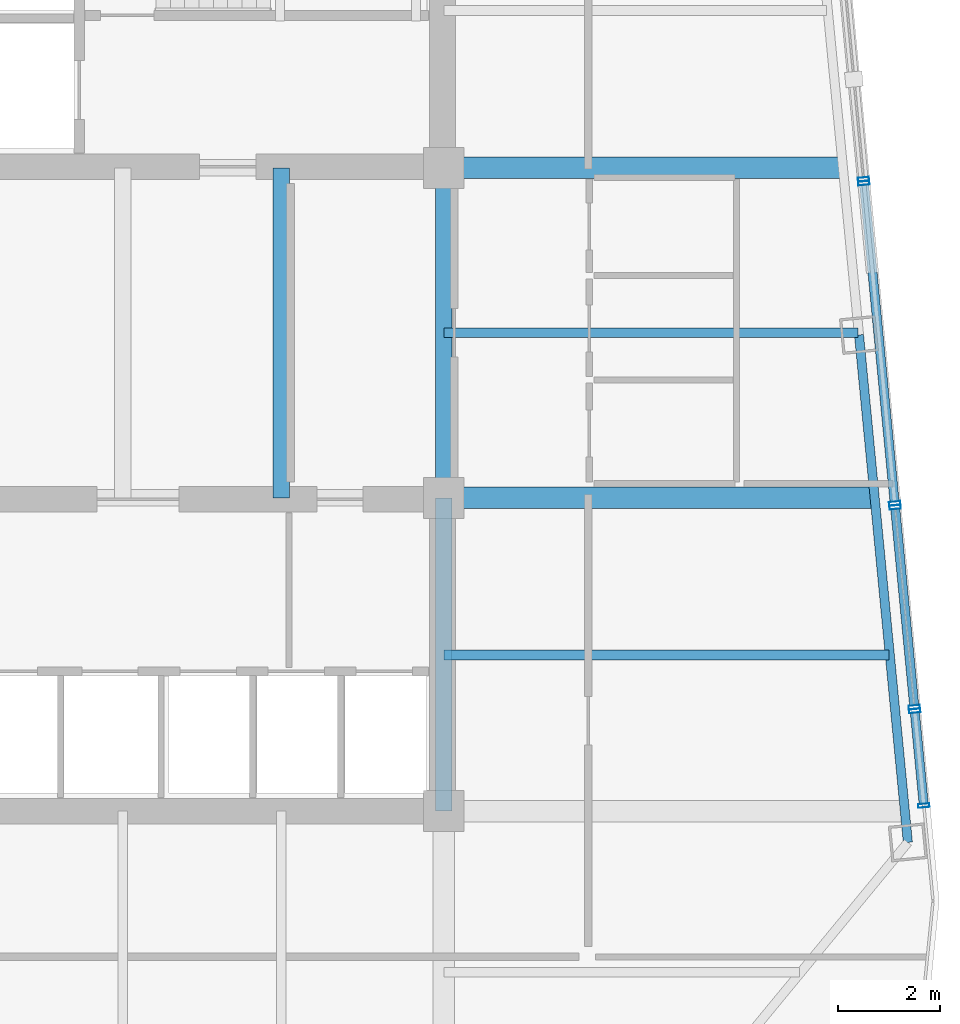
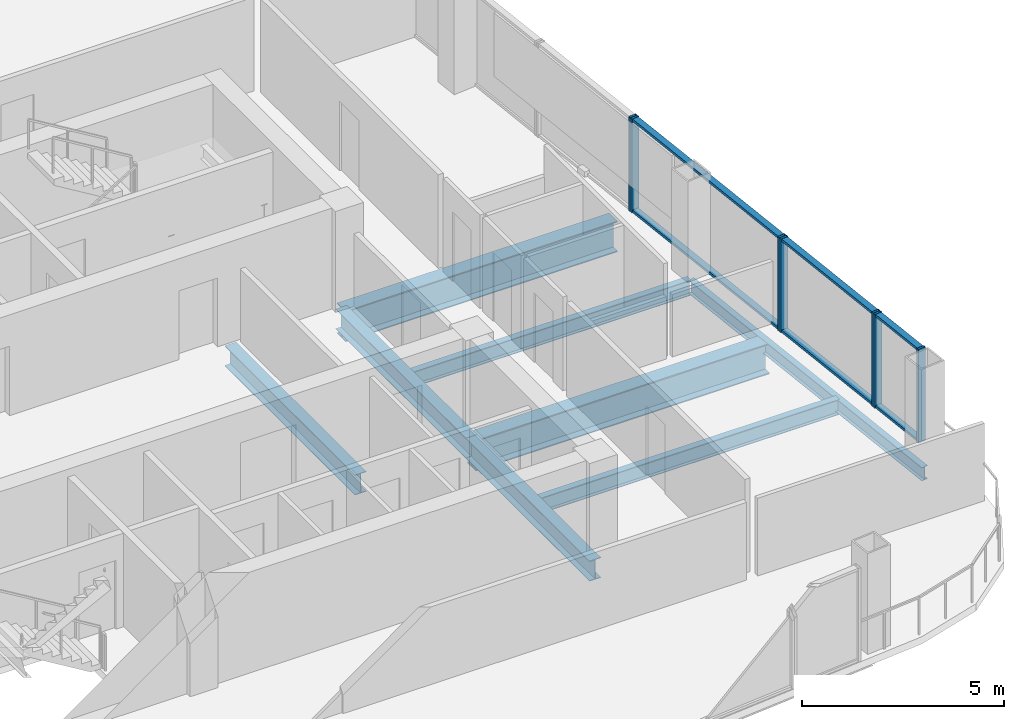
# One storey, part 10 of 21: 13 members, 8 beams, 4 elements without a shape of their own.
"""IFC4 building model written with IfcOpenShell, lengths in metres."""

import ifcopenshell
import ifcopenshell.guid

model = None  # the IFC model being written
_history = None  # IfcOwnerHistory: only IFC2X3 demands one
_inside = {}  # id of a spatial element -> (the spatial element, [elements in it])
_under = {}  # id of a project, library or spatial element -> (it, [spatial elements below it])
_declared = {}  # id of a project -> (the project, [libraries it declares])
_typed = {}  # id of a type object -> (the type object, [elements of that type])
_made_of = {}  # id of a material, layer set ... -> (it, [elements and type objects made of it])


def new_model(schema):
    """Start an empty IFC model of exactly this schema.

    Asked for "IFC4X3", IfcOpenShell would pick the latest addendum, in which some entities
    have other attributes; the version numbers below select the first issue.
    IFC2X3 requires an IfcOwnerHistory on every rooted entity: one is made here for all.
    """
    global model, _history
    if schema == "IFC4X3":
        model = ifcopenshell.file(schema_version=(4, 3, 0, 0))
    else:
        model = ifcopenshell.file(schema=schema)
    _inside.clear()
    _under.clear()
    _declared.clear()
    _typed.clear()
    _made_of.clear()
    _history = None
    if model.schema == "IFC2X3":
        org = make("IfcOrganization", Name="unknown")
        user = make(
            "IfcPersonAndOrganization",
            ThePerson=make("IfcPerson", FamilyName="unknown"),
            TheOrganization=org,
        )
        app = make(
            "IfcApplication",
            ApplicationDeveloper=org,
            Version="unknown",
            ApplicationFullName="unknown",
            ApplicationIdentifier="unknown",
        )
        _history = make(
            "IfcOwnerHistory",
            OwningUser=user,
            OwningApplication=app,
            ChangeAction="ADDED",
            CreationDate=0,
        )
    return model


def make(cls, **values):
    """One entity of the class cls with the attributes given. An attribute that is None is left unset."""
    return model.create_entity(
        cls, **{name: value for name, value in values.items() if value is not None}
    )


def rooted(cls, **values):
    """An entity with a GlobalId (a new one), such as an element, a storey or a relation."""
    return make(cls, GlobalId=ifcopenshell.guid.new(), OwnerHistory=_history, **values)


def si_unit(unit_type, name, prefix=None):
    """IfcSIUnit, for example si_unit("LENGTHUNIT", "METRE", prefix="MILLI")."""
    return make("IfcSIUnit", UnitType=unit_type, Prefix=prefix, Name=name)


def assignment(units):
    """IfcUnitAssignment: the units of a project."""
    return None if units is None else make("IfcUnitAssignment", Units=units)


def point(xyz):
    """IfcCartesianPoint."""
    return None if xyz is None else make("IfcCartesianPoint", Coordinates=xyz)


def direction(xyz):
    """IfcDirection."""
    return None if xyz is None else make("IfcDirection", DirectionRatios=xyz)


def frame(location, z_axis=None, x_axis=None):
    """IfcAxis2Placement3D, a coordinate frame: its origin and axes. An axis left out is left unset."""
    return make(
        "IfcAxis2Placement3D",
        Location=point(location),
        Axis=direction(z_axis),
        RefDirection=direction(x_axis),
    )


def frame_2d(location, x_axis=None):
    """IfcAxis2Placement2D, a coordinate frame in the plane: its origin and x axis."""
    return make(
        "IfcAxis2Placement2D", Location=point(location), RefDirection=direction(x_axis)
    )


def origin():
    """The frame at (0, 0, 0) with its axes left unset."""
    return frame((0.0, 0.0, 0.0))


def origin_2d():
    """The frame at (0, 0) in the plane with its x axis left unset."""
    return frame_2d((0.0, 0.0))


def place(relative_to, where):
    """IfcLocalPlacement: puts the frame where relative to a parent placement (None: the world)."""
    return make(
        "IfcLocalPlacement", PlacementRelTo=relative_to, RelativePlacement=where
    )


def context(
    kind, dimensions, precision=None, world=None, true_north=None, identifier=None
):
    """IfcGeometricRepresentationContext, for example the 3D "Model" context."""
    return make(
        "IfcGeometricRepresentationContext",
        ContextIdentifier=identifier,
        ContextType=kind,
        CoordinateSpaceDimension=dimensions,
        Precision=precision,
        WorldCoordinateSystem=world,
        TrueNorth=true_north,
    )


def subcontext(parent, identifier, kind, view, scale=None):
    """IfcGeometricRepresentationSubContext, for example "Body" below "Model"."""
    return make(
        "IfcGeometricRepresentationSubContext",
        ContextIdentifier=identifier,
        ContextType=kind,
        ParentContext=parent,
        TargetScale=scale,
        TargetView=view,
    )


def project(units=None, contexts=None):
    """IfcProject with its units and contexts."""
    return rooted(
        "IfcProject",
        Name="project",
        RepresentationContexts=contexts,
        UnitsInContext=assignment(units),
    )


def spatial(cls, under=None, at=None, **own):
    """A site, building, storey or space (cls), placed at a placement, below another one or the project."""
    s = rooted(cls, ObjectPlacement=at, **own)
    if under is not None:
        _under.setdefault(under.id(), (under, []))[1].append(s)
    return s


def profile(cls, at=None, kind="AREA", **sizes):
    """A parametric profile (cls). Its sizes go by their IFC names, for example OverallWidth=200.0."""
    return make(cls, ProfileType=kind, Position=at, **sizes)


def hollow_rectangle(**sizes):
    """IfcRectangleHollowProfileDef."""
    return profile("IfcRectangleHollowProfileDef", **sizes)


def i_section(**sizes):
    """IfcIShapeProfileDef."""
    return profile("IfcIShapeProfileDef", **sizes)


def extrude(swept, where, along, depth):
    """IfcExtrudedAreaSolid: the profile swept, set in the frame where, extruded along a direction by depth."""
    return make(
        "IfcExtrudedAreaSolid",
        SweptArea=swept,
        Position=where,
        ExtrudedDirection=direction(along),
        Depth=depth,
    )


def shape(context_of_items, identifier, shape_type, items):
    """IfcShapeRepresentation: the items that make up one representation, for example the "Body"."""
    return make(
        "IfcShapeRepresentation",
        ContextOfItems=context_of_items,
        RepresentationIdentifier=identifier,
        RepresentationType=shape_type,
        Items=items,
    )


def material(Name=None, Category=None):
    """IfcMaterial."""
    return make("IfcMaterial", Name=Name, Category=Category)


def layer(
    of_material, thickness, ventilated=None, Name=None, Category=None, Priority=None
):
    """IfcMaterialLayer: one layer of a wall or slab, of a material (None: an air gap)."""
    return make(
        "IfcMaterialLayer",
        Material=of_material,
        LayerThickness=thickness,
        IsVentilated=ventilated,
        Name=Name,
        Category=Category,
        Priority=Priority,
    )


def layer_set(layers, Name=None):
    """IfcMaterialLayerSet."""
    return make("IfcMaterialLayerSet", MaterialLayers=layers, LayerSetName=Name)


def material_profile(
    of_material, cross_section, Name=None, Category=None, Priority=None
):
    """IfcMaterialProfile: a cross section and its material."""
    return make(
        "IfcMaterialProfile",
        Name=Name,
        Material=of_material,
        Profile=cross_section,
        Priority=Priority,
        Category=Category,
    )


def profile_set(profiles, Name=None, composite=None):
    """IfcMaterialProfileSet."""
    return make(
        "IfcMaterialProfileSet",
        Name=Name,
        MaterialProfiles=profiles,
        CompositeProfile=composite,
    )


def made_of(thing, what):
    """Note that an element or type object is made of a material, layer set ...; save() writes the relation."""
    if what is not None:
        _made_of.setdefault(what.id(), (what, []))[1].append(thing)
    return thing


def type_object(cls, material=None, **own):
    """A type object (cls), such as IfcWallType, which elements share."""
    return made_of(rooted(cls, **own), material)


def element(
    cls,
    number,
    at=None,
    inside=None,
    cuts=None,
    type_object=None,
    material=None,
    context=None,
    identifier="Body",
    shape_type=None,
    held_by="IfcProductDefinitionShape",
    body=None,
    shapes=None,
    **own,
):
    """One element of the class cls, such as IfcWall. Its Tag is "e" and its number.

    at: its placement. inside: the storey or other place that contains it. cuts: it is an
    opening in that element (IfcRelVoidsElement). A single representation is given by context,
    identifier, shape_type and body (its items); several are given by shapes. held_by: the class
    of the entity that holds the representations. save() writes the other relations.
    """
    e = rooted(cls, Tag="e%d" % number, ObjectPlacement=at, **own)
    if body is not None:
        shapes = [shape(context, identifier, shape_type, body)]
    if shapes is not None:
        e.Representation = make(held_by, Representations=shapes)
    if inside is not None:
        _inside.setdefault(inside.id(), (inside, []))[1].append(e)
    if cuts is not None:
        rooted(
            "IfcRelVoidsElement", RelatingBuildingElement=cuts, RelatedOpeningElement=e
        )
    if type_object is not None:
        _typed.setdefault(type_object.id(), (type_object, []))[1].append(e)
    return made_of(e, material)


def aggregate(whole, parts):
    """IfcRelAggregates: a whole, such as a stair, and the parts it consists of."""
    return rooted("IfcRelAggregates", RelatingObject=whole, RelatedObjects=parts)


def save(model, path):
    """Write the relations noted so far, then the file.

    IfcRelAggregates (storeys below a building ...), IfcRelContainedInSpatialStructure (elements
    in a storey), IfcRelDefinesByType, IfcRelAssociatesMaterial and IfcRelDeclares: one each for
    every whole, place, type object, material and project.
    """
    for whole, parts in _under.values():
        aggregate(whole, parts)
    for where, things in _inside.values():
        rooted(
            "IfcRelContainedInSpatialStructure",
            RelatedElements=things,
            RelatingStructure=where,
        )
    for kind, things in _typed.values():
        rooted("IfcRelDefinesByType", RelatedObjects=things, RelatingType=kind)
    for what, things in _made_of.values():
        rooted("IfcRelAssociatesMaterial", RelatedObjects=things, RelatingMaterial=what)
    for by, libraries in _declared.values():
        rooted("IfcRelDeclares", RelatingContext=by, RelatedDefinitions=libraries)
    model.write(path)


model = new_model("IFC4")

# Units and contexts
model_context = context("Model", 3, precision=1e-05, world=origin(), true_north=direction((0.0, 1.0)))
body_context = subcontext(model_context, "Body", "Model", "MODEL_VIEW")
ifc_project = project(units=[si_unit("LENGTHUNIT", "METRE"), si_unit("AREAUNIT", "SQUARE_METRE"), si_unit("VOLUMEUNIT", "CUBIC_METRE"), si_unit("PLANEANGLEUNIT", "RADIAN"), si_unit("MASSUNIT", "GRAM", prefix="KILO")], contexts=[model_context])

# Site, building, storey
site_placement = place(None, origin())
site = spatial("IfcSite", under=ifc_project, at=site_placement, CompositionType="ELEMENT")
building_placement = place(site_placement, origin())
building = spatial("IfcBuilding", under=site, at=building_placement, Name="Qhalaya Broadcast Tower", CompositionType="ELEMENT")
storey_placement = place(building_placement, frame((0.0, 0.0, 162.25)))
storey = spatial("IfcBuildingStorey", under=building, at=storey_placement, Name="L47", CompositionType="ELEMENT", Elevation=162.25)

# Beams
ifc_material_1 = material(Name="Structural Steel ASTM A992 Grade 50", Category="steel")
ifc_material_profile_1 = material_profile(ifc_material_1, i_section(OverallWidth=0.19189453125, OverallDepth=0.462890625, WebThickness=0.010498046875, FlangeThickness=0.017578125, at=origin_2d()), Name="W18X60")
ifc_profile_set_1 = profile_set([ifc_material_profile_1], Name="Structural Steel ASTM A992 Grade 50")
beam_type_1 = type_object("IfcBeamType", Name="Composite Floor Joist J03", PredefinedType="JOIST", material=ifc_profile_set_1)
beam_1_placement = place(storey_placement, frame((9.375, -5.699951171875, -0.451416015625), z_axis=(1.0, 0.0, 0.0), x_axis=(0.0, 1.0, 0.0)))
element("IfcBeam", 1, at=beam_1_placement, inside=storey, type_object=beam_type_1, Name="L47 J03 L47-JWE3E-1", PredefinedType="JOIST", context=body_context, shape_type="SweptSolid", body=[
    extrude(i_section(OverallWidth=0.19189453125, OverallDepth=0.462890625, WebThickness=0.010498046875, FlangeThickness=0.017578125, at=origin_2d()), origin(), (0.0, 0.0, 1.0), 8.7001953125),
])
beam_2_placement = place(storey_placement, frame((9.375, 0.60009765625, -0.451416015625), z_axis=(1.0, 0.0, 0.0), x_axis=(0.0, 1.0, 0.0)))
element("IfcBeam", 2, at=beam_2_placement, inside=storey, type_object=beam_type_1, Name="L47 J03 L47-JWE4E-1", PredefinedType="JOIST", context=body_context, shape_type="SweptSolid", body=[
    extrude(i_section(OverallWidth=0.19189453125, OverallDepth=0.462890625, WebThickness=0.010498046875, FlangeThickness=0.017578125, at=origin_2d()), origin(), (0.0, 0.0, 1.0), 8.093505859375),
])
ifc_material_profile_2 = material_profile(ifc_material_1, i_section(OverallWidth=0.323974609375, OverallDepth=0.612060546875, WebThickness=0.0126953125, FlangeThickness=0.01904296875, at=origin_2d()), Name="W24X104")
ifc_profile_set_2 = profile_set([ifc_material_profile_2], Name="Structural Steel ASTM A992 Grade 50")
beam_type_2 = type_object("IfcBeamType", Name="Core Frame Tie Beam B04", PredefinedType="BEAM", material=ifc_profile_set_2)
beam_3_placement = place(storey_placement, frame((9.375, -8.75, -0.52587890625), z_axis=(0.0, 1.0, 0.0), x_axis=(-1.0, 0.0, 0.0)))
element("IfcBeam", 3, at=beam_3_placement, inside=storey, type_object=beam_type_2, Name="L47 B04 L47-CCS2", PredefinedType="BEAM", context=body_context, shape_type="SweptSolid", body=[
    extrude(i_section(OverallWidth=0.323974609375, OverallDepth=0.612060546875, WebThickness=0.0126953125, FlangeThickness=0.01904296875, at=origin_2d()), origin(), (0.0, 0.0, 1.0), 6.125),
])
for number, where, z_axis, x_axis, name in (
    (4, (9.375, -2.625, -0.52587890625), (0.0, 1.0, 0.0), (-1.0, 0.0, 0.0), "L47 B04 L47-CCE"),
    (5, (6.199951171875, -2.625, -0.52587890625), (0.0, 1.0, 0.0), (-1.0, 0.0, 0.0), "L47 B04 L47-JC5-1"),
):
    element("IfcBeam", number, at=place(storey_placement, frame(where, z_axis=z_axis, x_axis=x_axis)), inside=storey, type_object=beam_type_2, Name=name, PredefinedType="BEAM", context=body_context, shape_type="SweptSolid", body=[
        extrude(i_section(OverallWidth=0.323974609375, OverallDepth=0.612060546875, WebThickness=0.0126953125, FlangeThickness=0.01904296875, at=origin_2d()), origin(), (0.0, 0.0, 1.0), 6.449951171875),
    ])
ifc_material_profile_3 = material_profile(ifc_material_1, i_section(OverallWidth=0.4189453125, OverallDepth=0.927001953125, WebThickness=0.019287109375, FlangeThickness=0.031982421875, at=origin_2d()), Name="W36X231")
ifc_profile_set_3 = profile_set([ifc_material_profile_3], Name="Structural Steel ASTM A992 Grade 50")
beam_type_3 = type_object("IfcBeamType", Name="Mid Block Primary Girder PG3", PredefinedType="USERDEFINED", material=ifc_profile_set_3)
beam_4_placement = place(storey_placement, frame((9.375, -2.625, -0.68359375), z_axis=(1.0, 0.0, 0.0), x_axis=(0.0, 1.0, 0.0)))
element("IfcBeam", 6, at=beam_4_placement, inside=storey, type_object=beam_type_3, Name="L47 PG3 L47-PGYE2-1", ObjectType="GIRDER", PredefinedType="USERDEFINED", context=body_context, shape_type="SweptSolid", body=[
    extrude(i_section(OverallWidth=0.4189453125, OverallDepth=0.927001953125, WebThickness=0.019287109375, FlangeThickness=0.031982421875, at=origin_2d()), origin(), (0.0, 0.0, 1.0), 8.404052734375),
])
beam_5_placement = place(storey_placement, frame((9.375, 3.824951171875, -0.68359375), z_axis=(1.0, 0.0, 0.0), x_axis=(0.0, 1.0, 0.0)))
element("IfcBeam", 7, at=beam_5_placement, inside=storey, type_object=beam_type_3, Name="L47 PG3 L47-PGYE3-1", ObjectType="GIRDER", PredefinedType="USERDEFINED", context=body_context, shape_type="SweptSolid", body=[
    extrude(i_section(OverallWidth=0.4189453125, OverallDepth=0.927001953125, WebThickness=0.019287109375, FlangeThickness=0.031982421875, at=origin_2d()), origin(), (0.0, 0.0, 1.0), 7.782958984375),
])

# Curtain wall, members
ifc_material_2 = material(Name="Fired Architectural Terracotta", Category="masonry")
ifc_layer_1 = layer(ifc_material_2, 0.219970703125, Name="Fired Architectural Terracotta")
ifc_layer_set_1 = layer_set([ifc_layer_1], Name="Fired Architectural Terracotta")
curtain_wall_type_1 = type_object("IfcCurtainWallType", Name="Block-Cap Unitised Terracotta Spandrel Wall CW-07", PredefinedType="NOTDEFINED", material=ifc_layer_set_1)
curtain_wall_1_placement = place(storey_placement, origin())
curtain_wall_1 = element("IfcCurtainWall", 8, at=curtain_wall_1_placement, inside=storey, type_object=curtain_wall_type_1, Name="L47 Unitised Curtain Wall L47-CW-E1", PredefinedType="NOTDEFINED")
ifc_material_3 = material(Name="Anodised Aluminium 6063-T6", Category="aluminium")
ifc_material_profile_4 = material_profile(ifc_material_3, hollow_rectangle(XDim=0.074951171875, YDim=0.219970703125, WallThickness=0.00390625, at=origin_2d()), Name="ALU-MUL 75x220x4")
ifc_profile_set_4 = profile_set([ifc_material_profile_4], Name="Anodised Aluminium 6063-T6")
member_type_1 = type_object("IfcMemberType", Name="Unitised Curtain-Wall Mullion M01", PredefinedType="MULLION", material=ifc_profile_set_4)
member_1_placement = place(storey_placement, frame((18.76025390625, -8.64111328125, 0.0), z_axis=(0.0, 0.0, 1.0), x_axis=(-0.095861254071, 0.995394705616, 0.0)))
member_1 = element("IfcMember", 9, at=member_1_placement, type_object=member_type_1, Name="CW-07 mullion 1", PredefinedType="MULLION", context=body_context, shape_type="SweptSolid", body=[
    extrude(hollow_rectangle(XDim=0.074951171875, YDim=0.219970703125, WallThickness=0.00390625, at=origin_2d()), origin(), (0.0, 0.0, 1.0), 2.830078125),
])
member_2_placement = place(storey_placement, frame((18.58203125, -6.791748046875, 0.0), z_axis=(0.0, 0.0, 1.0), x_axis=(-0.095861254071, 0.995394705616, 0.0)))
member_2 = element("IfcMember", 10, at=member_2_placement, type_object=member_type_1, Name="CW-07 mullion 2", PredefinedType="MULLION", context=body_context, shape_type="SweptSolid", body=[
    extrude(hollow_rectangle(XDim=0.074951171875, YDim=0.219970703125, WallThickness=0.00390625, at=origin_2d()), origin(), (0.0, 0.0, 1.0), 2.830078125),
])

ifc_material_4 = material(Name="Solar-Control Low-E Triple Glazing", Category="glass")
ifc_layer_2 = layer(ifc_material_4, 0.219970703125, Name="Solar-Control Low-E Triple Glazing")
ifc_layer_set_2 = layer_set([ifc_layer_2], Name="Solar-Control Low-E Triple Glazing")
curtain_wall_type_2 = type_object("IfcCurtainWallType", Name="Even-Block 4-Storey Double-Module Curtain Wall CW-03", PredefinedType="NOTDEFINED", material=ifc_layer_set_2)
curtain_wall_2_placement = place(storey_placement, origin())
curtain_wall_2 = element("IfcCurtainWall", 11, at=curtain_wall_2_placement, inside=storey, type_object=curtain_wall_type_2, Name="L47 Unitised Curtain Wall L47-CW-E2", PredefinedType="NOTDEFINED")
member_3_placement = place(storey_placement, frame((18.574951171875, -6.717041015625, 0.0), z_axis=(0.0, 0.0, 1.0), x_axis=(-0.095850516284, 0.995395739657, 0.0)))
member_3 = element("IfcMember", 12, at=member_3_placement, type_object=member_type_1, Name="CW-03 mullion 1", PredefinedType="MULLION", context=body_context, shape_type="SweptSolid", body=[
    extrude(hollow_rectangle(XDim=0.074951171875, YDim=0.219970703125, WallThickness=0.00390625, at=origin_2d()), origin(), (0.0, 0.0, 1.0), 2.830078125),
])
member_4_placement = place(storey_placement, frame((18.198486328125, -2.80908203125, 0.0), z_axis=(0.0, 0.0, 1.0), x_axis=(-0.095850516284, 0.995395739657, 0.0)))
member_4 = element("IfcMember", 13, at=member_4_placement, type_object=member_type_1, Name="CW-03 mullion 2", PredefinedType="MULLION", context=body_context, shape_type="SweptSolid", body=[
    extrude(hollow_rectangle(XDim=0.074951171875, YDim=0.219970703125, WallThickness=0.00390625, at=origin_2d()), origin(), (0.0, 0.0, 1.0), 2.830078125),
])

curtain_wall_3_placement = place(storey_placement, origin())
curtain_wall_3 = element("IfcCurtainWall", 14, at=curtain_wall_3_placement, inside=storey, type_object=curtain_wall_type_1, Name="L47 Unitised Curtain Wall L47-CW-E3", PredefinedType="NOTDEFINED")
member_5_placement = place(storey_placement, frame((18.19140625, -2.734375, 0.0), z_axis=(0.0, 0.0, 1.0), x_axis=(-0.095836642528, 0.995397075518, 0.0)))
member_5 = element("IfcMember", 15, at=member_5_placement, type_object=member_type_1, Name="CW-07 mullion 1", PredefinedType="MULLION", context=body_context, shape_type="SweptSolid", body=[
    extrude(hollow_rectangle(XDim=0.074951171875, YDim=0.219970703125, WallThickness=0.00390625, at=origin_2d()), origin(), (0.0, 0.0, 1.0), 2.830078125),
])
member_6_placement = place(storey_placement, frame((17.588623046875, 3.526611328125, 0.0), z_axis=(0.0, 0.0, 1.0), x_axis=(-0.095836642528, 0.995397075518, 0.0)))
member_6 = element("IfcMember", 16, at=member_6_placement, type_object=member_type_1, Name="CW-07 mullion 2", PredefinedType="MULLION", context=body_context, shape_type="SweptSolid", body=[
    extrude(hollow_rectangle(XDim=0.074951171875, YDim=0.219970703125, WallThickness=0.00390625, at=origin_2d()), origin(), (0.0, 0.0, 1.0), 2.830078125),
])

# Curtain wall, member
curtain_wall_4_placement = place(storey_placement, origin())
curtain_wall_4 = element("IfcCurtainWall", 17, at=curtain_wall_4_placement, inside=storey, type_object=curtain_wall_type_2, Name="L47 Unitised Curtain Wall L47-CW-E4", PredefinedType="NOTDEFINED")
member_7_placement = place(storey_placement, frame((17.581298828125, 3.601318359375, 0.0), z_axis=(0.0, 0.0, 1.0), x_axis=(-0.095851433835, 0.995395651302, 0.0)))
member_7 = element("IfcMember", 18, at=member_7_placement, type_object=member_type_1, Name="CW-03 mullion 1", PredefinedType="MULLION", context=body_context, shape_type="SweptSolid", body=[
    extrude(hollow_rectangle(XDim=0.074951171875, YDim=0.219970703125, WallThickness=0.00390625, at=origin_2d()), origin(), (0.0, 0.0, 1.0), 2.830078125),
])
aggregate(curtain_wall_4, [member_7])

# Member
ifc_material_profile_5 = material_profile(ifc_material_3, hollow_rectangle(XDim=0.074951171875, YDim=0.179931640625, WallThickness=0.00390625, at=origin_2d()), Name="ALU-TRN 75x180x4")
ifc_profile_set_5 = profile_set([ifc_material_profile_5], Name="Anodised Aluminium 6063-T6")
member_type_2 = type_object("IfcMemberType", Name="Unitised Curtain-Wall Transom T01", PredefinedType="USERDEFINED", material=ifc_profile_set_5)
member_8_placement = place(storey_placement, frame((18.756591796875, -8.603759765625, 0.03759765625), z_axis=(-0.095855916051, 0.995395219678, 0.0), x_axis=(0.0, 0.0, 1.0)))
member_8 = element("IfcMember", 19, at=member_8_placement, type_object=member_type_2, Name="CW-07 transom 1.1", ObjectType="TRANSOM", PredefinedType="USERDEFINED", context=body_context, shape_type="SweptSolid", body=[
    extrude(hollow_rectangle(XDim=0.074951171875, YDim=0.179931640625, WallThickness=0.00390625, at=origin_2d()), origin(), (0.0, 0.0, 1.0), 1.782958984375),
])

member_9_placement = place(storey_placement, frame((18.756591796875, -8.603759765625, 2.79248046875), z_axis=(-0.095855916051, 0.995395219678, 0.0), x_axis=(0.0, 0.0, 1.0)))
member_9 = element("IfcMember", 20, at=member_9_placement, type_object=member_type_2, Name="CW-07 transom 1.2", ObjectType="TRANSOM", PredefinedType="USERDEFINED", context=body_context, shape_type="SweptSolid", body=[
    extrude(hollow_rectangle(XDim=0.074951171875, YDim=0.179931640625, WallThickness=0.00390625, at=origin_2d()), origin(), (0.0, 0.0, 1.0), 1.782958984375),
])

aggregate(curtain_wall_1, [member_1, member_2, member_8, member_9])

member_10_placement = place(storey_placement, frame((18.5712890625, -6.6796875, 0.03759765625), z_axis=(-0.09585615801, 0.995395196378, 0.0), x_axis=(0.0, 0.0, 1.0)))
member_10 = element("IfcMember", 21, at=member_10_placement, type_object=member_type_2, Name="CW-03 transom 1.1", ObjectType="TRANSOM", PredefinedType="USERDEFINED", context=body_context, shape_type="SweptSolid", body=[
    extrude(hollow_rectangle(XDim=0.074951171875, YDim=0.179931640625, WallThickness=0.00390625, at=origin_2d()), origin(), (0.0, 0.0, 1.0), 3.85107421875),
])

member_11_placement = place(storey_placement, frame((18.5712890625, -6.6796875, 2.79248046875), z_axis=(-0.09585615801, 0.995395196378, 0.0), x_axis=(0.0, 0.0, 1.0)))
member_11 = element("IfcMember", 22, at=member_11_placement, type_object=member_type_2, Name="CW-03 transom 1.2", ObjectType="TRANSOM", PredefinedType="USERDEFINED", context=body_context, shape_type="SweptSolid", body=[
    extrude(hollow_rectangle(XDim=0.074951171875, YDim=0.179931640625, WallThickness=0.00390625, at=origin_2d()), origin(), (0.0, 0.0, 1.0), 3.85107421875),
])

aggregate(curtain_wall_2, [member_3, member_4, member_10, member_11])

member_12_placement = place(storey_placement, frame((18.187744140625, -2.697265625, 0.03759765625), z_axis=(-0.095808213969, 0.995399812204, 0.0), x_axis=(0.0, 0.0, 1.0)))
member_12 = element("IfcMember", 23, at=member_12_placement, type_object=member_type_2, Name="CW-07 transom 1.1", ObjectType="TRANSOM", PredefinedType="USERDEFINED", context=body_context, shape_type="SweptSolid", body=[
    extrude(hollow_rectangle(XDim=0.074951171875, YDim=0.179931640625, WallThickness=0.00390625, at=origin_2d()), origin(), (0.0, 0.0, 1.0), 6.215087890625),
])

member_13_placement = place(storey_placement, frame((18.187744140625, -2.697265625, 2.79248046875), z_axis=(-0.095808213969, 0.995399812204, 0.0), x_axis=(0.0, 0.0, 1.0)))
member_13 = element("IfcMember", 24, at=member_13_placement, type_object=member_type_2, Name="CW-07 transom 1.2", ObjectType="TRANSOM", PredefinedType="USERDEFINED", context=body_context, shape_type="SweptSolid", body=[
    extrude(hollow_rectangle(XDim=0.074951171875, YDim=0.179931640625, WallThickness=0.00390625, at=origin_2d()), origin(), (0.0, 0.0, 1.0), 6.215087890625),
])

aggregate(curtain_wall_3, [member_5, member_6, member_12, member_13])

# Beam
ifc_material_profile_6 = material_profile(ifc_material_1, i_section(OverallWidth=0.177978515625, OverallDepth=0.406005859375, WebThickness=0.0078125, FlangeThickness=0.0126953125, at=origin_2d()), Name="W16X40")
ifc_profile_set_6 = profile_set([ifc_material_profile_6], Name="Structural Steel ASTM A992 Grade 50")
beam_type_4 = type_object("IfcBeamType", Name="Upper Perimeter Spandrel Beam SP2", PredefinedType="SPANDREL", material=ifc_profile_set_6)
beam_6_placement = place(storey_placement, frame((18.44775390625, -9.362060546875, -0.423095703125), z_axis=(-0.095826293365, 0.995398071879, 0.0), x_axis=(-0.995398071879, -0.095826293365, 0.0)))
element("IfcBeam", 25, at=beam_6_placement, inside=storey, type_object=beam_type_4, Name="L47 SP2 L47-SPR-05", PredefinedType="SPANDREL", context=body_context, shape_type="SweptSolid", body=[
    extrude(i_section(OverallWidth=0.177978515625, OverallDepth=0.406005859375, WebThickness=0.0078125, FlangeThickness=0.0126953125, at=origin_2d()), origin(), (0.0, 0.0, 1.0), 9.966796875),
])

save(model, "model.ifc")
